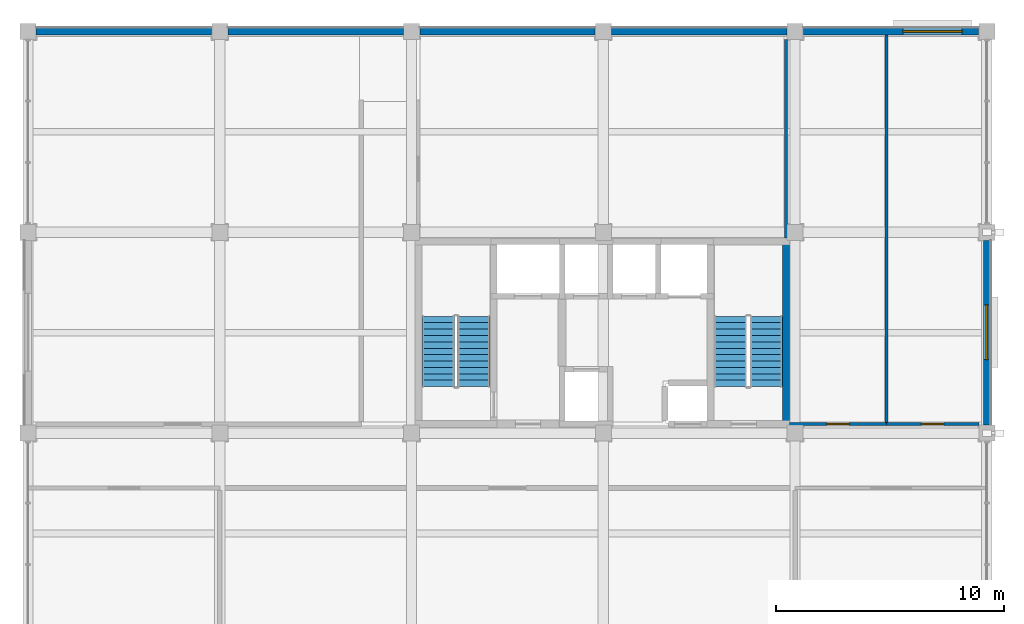
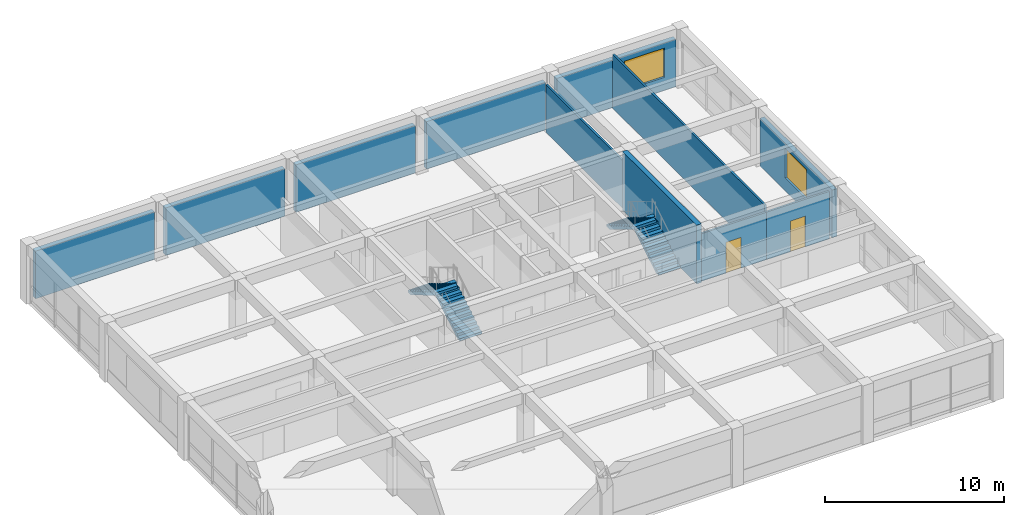
# One storey, part 9 of 14: 11 walls, 4 stair flights, 2 doors, 2 windows, 4 openings, 2 elements without a shape of their own.
"""IFC4 building model written with IfcOpenShell, lengths in metres."""

from ifc_helpers import new_model, si_unit, direction, frame, frame_2d, origin, place, context, subcontext, project, spatial, polyline, rectangle, outline, extrude, material, layer, layer_set, type_object, element, fill, aggregate, save


model = new_model("IFC4")

# Units and contexts
model_context = context("Model", 3, precision=1e-05, world=origin(), true_north=direction((0.0, 1.0)))
body_context = subcontext(model_context, "Body", "Model", "MODEL_VIEW")
ifc_project = project(units=[si_unit("LENGTHUNIT", "METRE"), si_unit("AREAUNIT", "SQUARE_METRE"), si_unit("VOLUMEUNIT", "CUBIC_METRE"), si_unit("PLANEANGLEUNIT", "RADIAN"), si_unit("MASSUNIT", "GRAM", prefix="KILO")], contexts=[model_context])

# Site, building, storey
site_placement = place(None, origin())
site = spatial("IfcSite", under=ifc_project, at=site_placement, CompositionType="ELEMENT")
building_placement = place(site_placement, origin())
building = spatial("IfcBuilding", under=site, at=building_placement, Name="Kemercrest Conservatory and Botanical Centre", CompositionType="ELEMENT")
storey_placement = place(building_placement, frame((0.0, 0.0, 32.800048828125)))
storey = spatial("IfcBuildingStorey", under=building, at=storey_placement, Name="L08", CompositionType="ELEMENT", Elevation=32.800048828125)

# Wall
ifc_material_1 = material(Name="Concrete C50/60", Category="concrete")
ifc_layer_1 = layer(ifc_material_1, 0.300048828125)
ifc_layer_set_1 = layer_set([ifc_layer_1], Name="Concrete C50/60")
wall_type_1 = type_object("IfcWallType", Name="CW-STAIR", PredefinedType="SHEAR", material=ifc_layer_set_1)
wall_1_placement = place(storey_placement, frame((167.199951171875, 105.050048828125, 0.0), z_axis=(0.0, 0.0, 1.0), x_axis=(0.0, 1.0, 0.0)))
element("IfcWall", 1, at=wall_1_placement, inside=storey, type_object=wall_type_1, Name="Stair core ST-V4B shear wall E", PredefinedType="SHEAR", context=body_context, shape_type="SweptSolid", body=[
    extrude(rectangle(XDim=8.300048828125, YDim=0.300048828125, at=frame_2d((4.14990234375, 0.0))), origin(), (0.0, 0.0, 1.0), 4.0),
])

# Wall, opening, window
ifc_material_2 = material(Name="Precast concrete C40/50", Category="concrete")
ifc_layer_2 = layer(ifc_material_2, 0.300048828125)
ifc_layer_set_2 = layer_set([ifc_layer_2], Name="Precast concrete C40/50")
wall_type_2 = type_object("IfcWallType", Name="W-EXT300", PredefinedType="SOLIDWALL", material=ifc_layer_set_2)
wall_2_placement = place(storey_placement, frame((176.0, 105.159912109375, 0.0), z_axis=(0.0, 0.0, 1.0), x_axis=(0.0, 1.0, 0.0)))
wall_2 = element("IfcWall", 2, at=wall_2_placement, inside=storey, type_object=wall_type_2, Name="Exterior almasik wall W-EXT300 (WAL:L08:EXT-278)", PredefinedType="SOLIDWALL", context=body_context, shape_type="SweptSolid", body=[
    extrude(rectangle(XDim=8.080078125, YDim=0.300048828125, at=frame_2d((4.0400390625, 0.0))), origin(), (0.0, 0.0, 1.0), 3.25),
])
opening_1_placement = place(wall_2_placement, frame((2.860107421875, 0.0, 0.89990234375)))
opening_1 = element("IfcOpeningElement", 3, at=opening_1_placement, cuts=wall_2, Name="Opening WT-09", PredefinedType="OPENING", context=body_context, shape_type="SweptSolid", body=[
    extrude(rectangle(XDim=2.39990234375, YDim=2.0, at=frame_2d((1.199951171875, 1.0))), frame((0.0, 0.16015625, 0.0), z_axis=(0.0, -1.0, 0.0), x_axis=(1.0, 0.0, 0.0)), (0.0, 0.0, 1.0), 0.320068359375),
])
ifc_material_3 = material(Name="Thermally broken bronze-anodized aluminium and triple glazing", Category="aluminium")
window_type_1 = type_object("IfcWindowType", Name="WT-09", PartitioningType="SINGLE_PANEL", PredefinedType="WINDOW", material=ifc_material_3)
window_1_placement = place(opening_1_placement, origin())
window_1 = element("IfcWindow", 4, at=window_1_placement, inside=storey, type_object=window_type_1, Name="Exterior window WT-09 (WIN:L08:EXT-278)", OverallHeight=2.0, OverallWidth=2.39990234375, PartitioningType="SINGLE_PANEL", PredefinedType="WINDOW", context=body_context, shape_type="SweptSolid", body=[
    extrude(rectangle(XDim=2.39990234375, YDim=2.0, at=frame_2d((1.199951171875, 1.0))), frame((0.0, 0.030029296875, 0.0), z_axis=(0.0, -1.0, 0.0), x_axis=(1.0, 0.0, 0.0)), (0.0, 0.0, 1.0), 0.06005859375),
])
fill(opening_1, window_1)

wall_3_placement = place(storey_placement, frame((175.639892578125, 122.39990234375, 0.0), z_axis=(0.0, 0.0, 1.0), x_axis=(-1.0, 0.0, 0.0)))
wall_3 = element("IfcWall", 5, at=wall_3_placement, inside=storey, type_object=wall_type_2, Name="Exterior almasik wall W-EXT300 (WAL:L08:EXT-279)", PredefinedType="SOLIDWALL", context=body_context, shape_type="SweptSolid", body=[
    extrude(rectangle(XDim=7.679931640625, YDim=0.300048828125, at=frame_2d((3.83984375, 0.0))), origin(), (0.0, 0.0, 1.0), 3.25),
])
opening_2_placement = place(wall_3_placement, frame((0.719970703125, 0.0, 0.89990234375)))
opening_2 = element("IfcOpeningElement", 6, at=opening_2_placement, cuts=wall_3, Name="Opening WT-10", PredefinedType="OPENING", context=body_context, shape_type="SweptSolid", body=[
    extrude(rectangle(XDim=2.60009765625, YDim=2.0, at=frame_2d((1.300048828125, 1.0))), frame((0.0, 0.16015625, 0.0), z_axis=(0.0, -1.0, 0.0), x_axis=(1.0, 0.0, 0.0)), (0.0, 0.0, 1.0), 0.320068359375),
])
window_type_2 = type_object("IfcWindowType", Name="WT-10", PartitioningType="SINGLE_PANEL", PredefinedType="WINDOW", material=ifc_material_3)
window_2_placement = place(opening_2_placement, origin())
window_2 = element("IfcWindow", 7, at=window_2_placement, inside=storey, type_object=window_type_2, Name="Exterior window WT-10 (WIN:L08:EXT-279)", OverallHeight=2.0, OverallWidth=2.60009765625, PartitioningType="SINGLE_PANEL", PredefinedType="WINDOW", context=body_context, shape_type="SweptSolid", body=[
    extrude(rectangle(XDim=2.60009765625, YDim=2.0, at=frame_2d((1.300048828125, 1.0))), frame((0.0, 0.030029296875, 0.0), z_axis=(0.0, -1.0, 0.0), x_axis=(1.0, 0.0, 0.0)), (0.0, 0.0, 1.0), 0.06005859375),
])
fill(opening_2, window_2)

# Walls
wall_4_placement = place(storey_placement, frame((167.239990234375, 122.39990234375, 0.0), z_axis=(0.0, 0.0, 1.0), x_axis=(-1.0, 0.0, 0.0)))
element("IfcWall", 8, at=wall_4_placement, inside=storey, type_object=wall_type_2, Name="Exterior almasik wall W-EXT300 (WAL:L08:EXT-280)", PredefinedType="SOLIDWALL", context=body_context, shape_type="SweptSolid", body=[
    extrude(rectangle(XDim=7.679931640625, YDim=0.300048828125, at=frame_2d((3.83984375, 0.0))), origin(), (0.0, 0.0, 1.0), 3.25),
])
wall_5_placement = place(storey_placement, frame((158.840087890625, 122.39990234375, 0.0), z_axis=(0.0, 0.0, 1.0), x_axis=(-1.0, 0.0, 0.0)))
element("IfcWall", 9, at=wall_5_placement, inside=storey, type_object=wall_type_2, Name="Exterior almasik wall W-EXT300 (WAL:L08:EXT-281)", PredefinedType="SOLIDWALL", context=body_context, shape_type="SweptSolid", body=[
    extrude(rectangle(XDim=7.68017578125, YDim=0.300048828125, at=frame_2d((3.840087890625, 0.0))), origin(), (0.0, 0.0, 1.0), 3.25),
])
for number, where, z_axis, x_axis, name in (
    (10, (150.43994140625, 122.39990234375, 0.0), (0.0, 0.0, 1.0), (-1.0, 0.0, 0.0), "Exterior almasik wall W-EXT300 (WAL:L08:EXT-282)"),
    (11, (142.0400390625, 122.39990234375, 0.0), (0.0, 0.0, 1.0), (-1.0, 0.0, 0.0), "Exterior almasik wall W-EXT300 (WAL:L08:EXT-283)"),
):
    element("IfcWall", number, at=place(storey_placement, frame(where, z_axis=z_axis, x_axis=x_axis)), inside=storey, type_object=wall_type_2, Name=name, PredefinedType="SOLIDWALL", context=body_context, shape_type="SweptSolid", body=[
        extrude(rectangle(XDim=7.679931640625, YDim=0.300048828125, at=frame_2d((3.83984375, 0.0))), origin(), (0.0, 0.0, 1.0), 3.25),
    ])

# Wall, opening, door
ifc_material_4 = material(Name="Moisture-resistant gypsum board partition", Category="gypsum")
ifc_layer_3 = layer(ifc_material_4, 0.125)
ifc_layer_set_3 = layer_set([ifc_layer_3], Name="Moisture-resistant gypsum board partition")
wall_type_3 = type_object("IfcWallType", Name="W-PART125", PredefinedType="PARTITIONING", material=ifc_layer_set_3)
wall_6_placement = place(storey_placement, frame((167.35498046875, 105.199951171875, 0.0), z_axis=(0.0, 0.0, 1.0), x_axis=(1.0, 0.0, 0.0)))
wall_6 = element("IfcWall", 12, at=wall_6_placement, inside=storey, type_object=wall_type_3, Name="Interior partition W-PART125 #218", PredefinedType="PARTITIONING", context=body_context, shape_type="SweptSolid", body=[
    extrude(rectangle(XDim=4.2451171875, YDim=0.125, at=frame_2d((2.12255859375, 0.0))), origin(), (0.0, 0.0, 1.0), 3.244873046875),
])
opening_3_placement = place(wall_6_placement, frame((1.632568359375, 0.0, 0.0)))
opening_3 = element("IfcOpeningElement", 13, at=opening_3_placement, cuts=wall_6, Name="Opening D231", PredefinedType="OPENING", context=body_context, shape_type="SweptSolid", body=[
    extrude(rectangle(XDim=0.97998046875, YDim=2.10009765625, at=frame_2d((0.489990234375, 1.050048828125))), frame((0.0, 0.072509765625, 0.0), z_axis=(0.0, -1.0, 0.0), x_axis=(1.0, 0.0, 0.0)), (0.0, 0.0, 1.0), 0.14501953125),
])
ifc_material_5 = material(Name="FSC solid-core white oak veneer and anodized aluminium frame", Category="aluminium")
door_type = type_object("IfcDoorType", Name="DT-02", OperationType="NOTDEFINED", PredefinedType="DOOR", material=ifc_material_5)
door_1_placement = place(opening_3_placement, origin())
door_1 = element("IfcDoor", 14, at=door_1_placement, inside=storey, type_object=door_type, Name="Staff Washroom door D231", OperationType="SINGLE_SWING_LEFT", OverallHeight=2.10009765625, OverallWidth=0.97998046875, PredefinedType="DOOR", context=body_context, shape_type="SweptSolid", body=[
    extrude(rectangle(XDim=0.97998046875, YDim=2.10009765625, at=frame_2d((0.489990234375, 1.050048828125))), frame((0.0, 0.02490234375, 0.0), z_axis=(0.0, -1.0, 0.0), x_axis=(1.0, 0.0, 0.0)), (0.0, 0.0, 1.0), 0.050048828125),
])
fill(opening_3, door_1)

wall_7_placement = place(storey_placement, frame((171.60009765625, 105.199951171875, 0.0), z_axis=(0.0, 0.0, 1.0), x_axis=(1.0, 0.0, 0.0)))
wall_7 = element("IfcWall", 15, at=wall_7_placement, inside=storey, type_object=wall_type_3, Name="Interior partition W-PART125 #219", PredefinedType="PARTITIONING", context=body_context, shape_type="SweptSolid", body=[
    extrude(rectangle(XDim=4.0498046875, YDim=0.125, at=frame_2d((2.02490234375, 0.0))), origin(), (0.0, 0.0, 1.0), 3.244873046875),
])
opening_4_placement = place(wall_7_placement, frame((1.534912109375, 0.0, 0.0)))
opening_4 = element("IfcOpeningElement", 16, at=opening_4_placement, cuts=wall_7, Name="Opening D232", PredefinedType="OPENING", context=body_context, shape_type="SweptSolid", body=[
    extrude(rectangle(XDim=0.97998046875, YDim=2.10009765625, at=frame_2d((0.489990234375, 1.050048828125))), frame((0.0, 0.072509765625, 0.0), z_axis=(0.0, -1.0, 0.0), x_axis=(1.0, 0.0, 0.0)), (0.0, 0.0, 1.0), 0.14501953125),
])
door_2_placement = place(opening_4_placement, origin())
door_2 = element("IfcDoor", 17, at=door_2_placement, inside=storey, type_object=door_type, Name="Accessible Washroom door D232", OperationType="SINGLE_SWING_RIGHT", OverallHeight=2.10009765625, OverallWidth=0.97998046875, PredefinedType="DOOR", context=body_context, shape_type="SweptSolid", body=[
    extrude(rectangle(XDim=0.97998046875, YDim=2.10009765625, at=frame_2d((0.489990234375, 1.050048828125))), frame((0.0, 0.02490234375, 0.0), z_axis=(0.0, -1.0, 0.0), x_axis=(1.0, 0.0, 0.0)), (0.0, 0.0, 1.0), 0.050048828125),
])
fill(opening_4, door_2)

# Walls
wall_8_placement = place(storey_placement, frame((167.199951171875, 113.35498046875, 0.0), z_axis=(0.0, 0.0, 1.0), x_axis=(0.0, 1.0, 0.0)))
element("IfcWall", 18, at=wall_8_placement, inside=storey, type_object=wall_type_3, Name="Interior partition W-PART125 #224", PredefinedType="PARTITIONING", context=body_context, shape_type="SweptSolid", body=[
    extrude(rectangle(XDim=8.695068359375, YDim=0.125, at=frame_2d((4.34765625, 0.0))), origin(), (0.0, 0.0, 1.0), 3.244873046875),
])
wall_9_placement = place(storey_placement, frame((171.60009765625, 105.267578125, 0.0), z_axis=(0.0, 0.0, 1.0), x_axis=(0.0, 1.0, 0.0)))
element("IfcWall", 19, at=wall_9_placement, inside=storey, type_object=wall_type_3, Name="Interior partition W-PART125 #225", PredefinedType="PARTITIONING", context=body_context, shape_type="SweptSolid", body=[
    extrude(rectangle(XDim=16.9775390625, YDim=0.125, at=frame_2d((8.48876953125, 0.0))), origin(), (0.0, 0.0, 1.0), 3.6650390625),
])

# Stair, stair flights
ifc_material_6 = material(Name="Concrete C40/50", Category="concrete")
stair_type = type_object("IfcStairType", Name="ST-142-40", PredefinedType="HALF_TURN_STAIR", material=ifc_material_6)
stair_1_placement = place(storey_placement, origin())
stair_1 = element("IfcStair", 20, at=stair_1_placement, inside=storey, type_object=stair_type, Name="L08 Exit stair ST-V4A", PredefinedType="HALF_TURN_STAIR")
stair_flight_type = type_object("IfcStairFlightType", Name="FL-142-40", PredefinedType="STRAIGHT", material=ifc_material_6)
stair_flight_1_placement = place(storey_placement, frame((153.530029296875, 106.840087890625, 0.0), z_axis=(0.0, 0.0, 1.0), x_axis=(0.0, 1.0, 0.0)))
stair_flight_1 = element("IfcStairFlight", 21, at=stair_flight_1_placement, type_object=stair_flight_type, Name="ST-V4A flight 1", NumberOfRisers=12, NumberOfTreads=11, PredefinedType="STRAIGHT", RiserHeight=0.166666667, TreadLength=0.28, context=body_context, shape_type="SweptSolid", body=[
    extrude(outline(polyline([(0.0, 0.0), (0.0, 0.166748046875), (0.280029296875, 0.166748046875), (0.280029296875, 0.333251953125), (0.56005859375, 0.333251953125), (0.56005859375, 0.5), (0.840087890625, 0.5), (0.840087890625, 0.666748046875), (1.1201171875, 0.666748046875), (1.1201171875, 0.833251953125), (1.39990234375, 0.833251953125), (1.39990234375, 1.0), (1.679931640625, 1.0), (1.679931640625, 1.166748046875), (1.9599609375, 1.166748046875), (1.9599609375, 1.333251953125), (2.239990234375, 1.333251953125), (2.239990234375, 1.5), (2.52001953125, 1.5), (2.52001953125, 1.666748046875), (2.800048828125, 1.666748046875), (2.800048828125, 1.833251953125), (3.080078125, 1.833251953125), (3.080078125, 2.0), (3.080078125, 1.658935546875), (0.29296875, 0.0), (0.0, 0.0)])), frame((0.0, 0.7099609375, 0.0), z_axis=(0.0, -1.0, 0.0), x_axis=(1.0, 0.0, 0.0)), (0.0, 0.0, 1.0), 1.419921875),
])
stair_flight_2_placement = place(storey_placement, frame((151.969970703125, 109.919921875, 2.0), z_axis=(0.0, 0.0, 1.0), x_axis=(0.0, -1.0, 0.0)))
stair_flight_2 = element("IfcStairFlight", 22, at=stair_flight_2_placement, type_object=stair_flight_type, Name="ST-V4A flight 2", NumberOfRisers=12, NumberOfTreads=11, PredefinedType="STRAIGHT", RiserHeight=0.166666667, TreadLength=0.28, context=body_context, shape_type="SweptSolid", body=[
    extrude(outline(polyline([(0.0, 0.0), (0.0, 0.166748046875), (0.280029296875, 0.166748046875), (0.280029296875, 0.333251953125), (0.56005859375, 0.333251953125), (0.56005859375, 0.5), (0.840087890625, 0.5), (0.840087890625, 0.666748046875), (1.1201171875, 0.666748046875), (1.1201171875, 0.833251953125), (1.39990234375, 0.833251953125), (1.39990234375, 1.0), (1.679931640625, 1.0), (1.679931640625, 1.166748046875), (1.9599609375, 1.166748046875), (1.9599609375, 1.333251953125), (2.239990234375, 1.333251953125), (2.239990234375, 1.5), (2.52001953125, 1.5), (2.52001953125, 1.666748046875), (2.800048828125, 1.666748046875), (2.800048828125, 1.833251953125), (3.080078125, 1.833251953125), (3.080078125, 2.0), (3.080078125, 1.658935546875), (0.29296875, 0.0), (0.0, 0.0)])), frame((0.0, 0.7099609375, 0.0), z_axis=(0.0, -1.0, 0.0), x_axis=(1.0, 0.0, 0.0)), (0.0, 0.0, 1.0), 1.419921875),
])
aggregate(stair_1, [stair_flight_1, stair_flight_2])

stair_2_placement = place(storey_placement, origin())
stair_2 = element("IfcStair", 23, at=stair_2_placement, inside=storey, type_object=stair_type, Name="L08 Exit stair ST-V4B", PredefinedType="HALF_TURN_STAIR")
stair_flight_3_placement = place(storey_placement, frame((166.330078125, 106.840087890625, 0.0), z_axis=(0.0, 0.0, 1.0), x_axis=(0.0, 1.0, 0.0)))
stair_flight_3 = element("IfcStairFlight", 24, at=stair_flight_3_placement, type_object=stair_flight_type, Name="ST-V4B flight 1", NumberOfRisers=12, NumberOfTreads=11, PredefinedType="STRAIGHT", RiserHeight=0.166666667, TreadLength=0.28, context=body_context, shape_type="SweptSolid", body=[
    extrude(outline(polyline([(0.0, 0.0), (0.0, 0.166748046875), (0.280029296875, 0.166748046875), (0.280029296875, 0.333251953125), (0.56005859375, 0.333251953125), (0.56005859375, 0.5), (0.840087890625, 0.5), (0.840087890625, 0.666748046875), (1.1201171875, 0.666748046875), (1.1201171875, 0.833251953125), (1.39990234375, 0.833251953125), (1.39990234375, 1.0), (1.679931640625, 1.0), (1.679931640625, 1.166748046875), (1.9599609375, 1.166748046875), (1.9599609375, 1.333251953125), (2.239990234375, 1.333251953125), (2.239990234375, 1.5), (2.52001953125, 1.5), (2.52001953125, 1.666748046875), (2.800048828125, 1.666748046875), (2.800048828125, 1.833251953125), (3.080078125, 1.833251953125), (3.080078125, 2.0), (3.080078125, 1.658935546875), (0.29296875, 0.0), (0.0, 0.0)])), frame((0.0, 0.7099609375, 0.0), z_axis=(0.0, -1.0, 0.0), x_axis=(1.0, 0.0, 0.0)), (0.0, 0.0, 1.0), 1.419921875),
])
stair_flight_4_placement = place(storey_placement, frame((164.77001953125, 109.919921875, 2.0), z_axis=(0.0, 0.0, 1.0), x_axis=(0.0, -1.0, 0.0)))
stair_flight_4 = element("IfcStairFlight", 25, at=stair_flight_4_placement, type_object=stair_flight_type, Name="ST-V4B flight 2", NumberOfRisers=12, NumberOfTreads=11, PredefinedType="STRAIGHT", RiserHeight=0.166666667, TreadLength=0.28, context=body_context, shape_type="SweptSolid", body=[
    extrude(outline(polyline([(0.0, 0.0), (0.0, 0.166748046875), (0.280029296875, 0.166748046875), (0.280029296875, 0.333251953125), (0.56005859375, 0.333251953125), (0.56005859375, 0.5), (0.840087890625, 0.5), (0.840087890625, 0.666748046875), (1.1201171875, 0.666748046875), (1.1201171875, 0.833251953125), (1.39990234375, 0.833251953125), (1.39990234375, 1.0), (1.679931640625, 1.0), (1.679931640625, 1.166748046875), (1.9599609375, 1.166748046875), (1.9599609375, 1.333251953125), (2.239990234375, 1.333251953125), (2.239990234375, 1.5), (2.52001953125, 1.5), (2.52001953125, 1.666748046875), (2.800048828125, 1.666748046875), (2.800048828125, 1.833251953125), (3.080078125, 1.833251953125), (3.080078125, 2.0), (3.080078125, 1.658935546875), (0.29296875, 0.0), (0.0, 0.0)])), frame((0.0, 0.7099609375, 0.0), z_axis=(0.0, -1.0, 0.0), x_axis=(1.0, 0.0, 0.0)), (0.0, 0.0, 1.0), 1.419921875),
])
aggregate(stair_2, [stair_flight_3, stair_flight_4])

save(model, "model.ifc")
